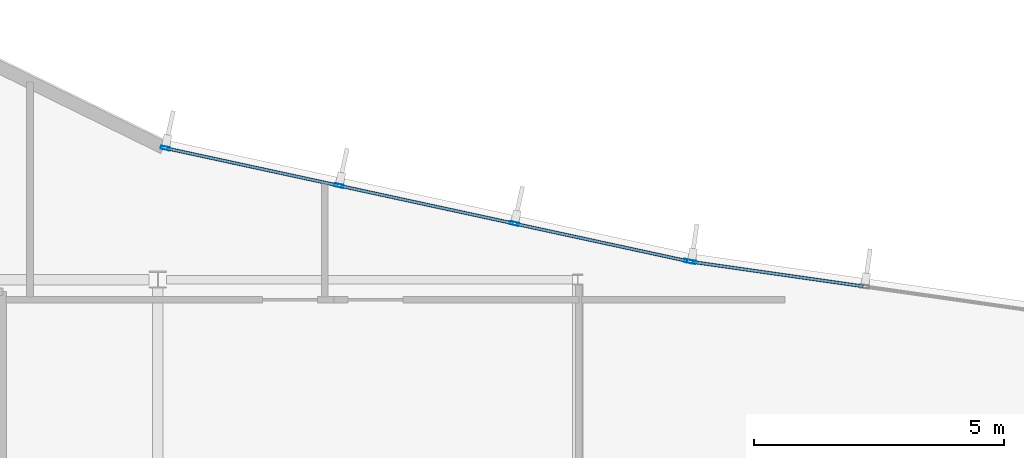
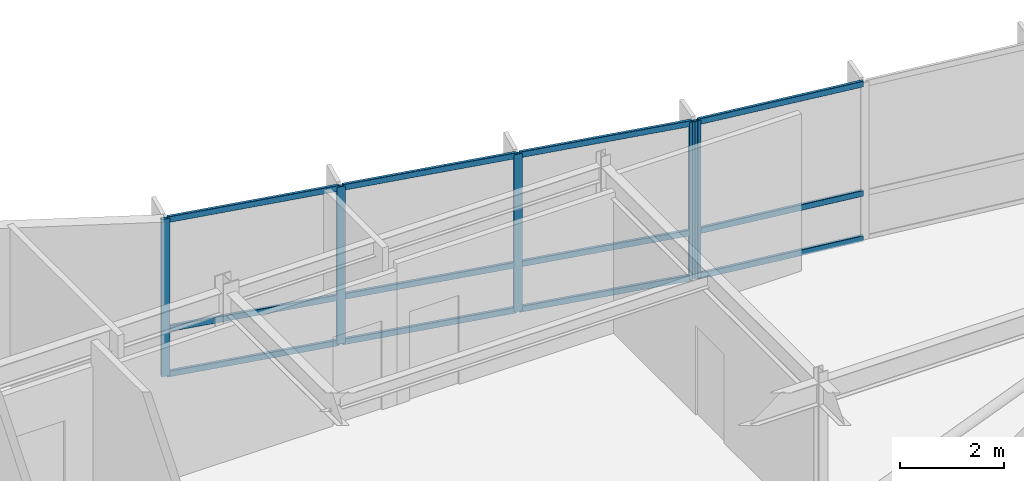
# One storey, part 6 of 16: 17 members, 2 elements without a shape of their own.
"""IFC4 building model written with IfcOpenShell, lengths in metres."""

from ifc_helpers import new_model, si_unit, direction, frame, origin, origin_2d, place, context, subcontext, project, spatial, hollow_rectangle, extrude, material, layer, layer_set, material_profile, profile_set, type_object, element, aggregate, save


model = new_model("IFC4")

# Units and contexts
model_context = context("Model", 3, precision=1e-05, world=origin(), true_north=direction((0.0, 1.0)))
body_context = subcontext(model_context, "Body", "Model", "MODEL_VIEW")
ifc_project = project(units=[si_unit("LENGTHUNIT", "METRE"), si_unit("AREAUNIT", "SQUARE_METRE"), si_unit("VOLUMEUNIT", "CUBIC_METRE"), si_unit("PLANEANGLEUNIT", "RADIAN"), si_unit("MASSUNIT", "GRAM", prefix="KILO")], contexts=[model_context])

# Site, building, storey
site_placement = place(None, origin())
site = spatial("IfcSite", under=ifc_project, at=site_placement, CompositionType="ELEMENT")
building_placement = place(site_placement, origin())
building = spatial("IfcBuilding", under=site, at=building_placement, Name="Varnakote Quay Hospital", CompositionType="ELEMENT")
storey_placement = place(building_placement, frame((0.0, 0.0, 288.14990234375)))
storey = spatial("IfcBuildingStorey", under=building, at=storey_placement, Name="L71", CompositionType="ELEMENT", Elevation=288.14990234375)

# Curtain wall, member
ifc_material_1 = material(Name="Anodised aluminium 6063-T6 Bronze", Category="aluminium")
ifc_layer = layer(ifc_material_1, 0.235107421875)
ifc_layer_set = layer_set([ifc_layer], Name="Anodised aluminium 6063-T6 Bronze")
curtain_wall_type = type_object("IfcCurtainWallType", Name="CW-SYS-5", PredefinedType="NOTDEFINED", material=ifc_layer_set)
curtain_wall_1_placement = place(storey_placement, origin())
curtain_wall_1 = element("IfcCurtainWall", 1, at=curtain_wall_1_placement, inside=storey, type_object=curtain_wall_type, Name="L71 Unitised Bronze Curtain Wall 1", PredefinedType="NOTDEFINED")
ifc_material_2 = material(Name="Anodised aluminium 6063-T6 Bronze", Category="aluminium")
ifc_material_profile_1 = material_profile(ifc_material_2, hollow_rectangle(XDim=0.06494140625, YDim=0.179931640625, WallThickness=0.00390625, InnerFilletRadius=0.00390625, OuterFilletRadius=0.008056640625, at=origin_2d()), Name="CW-MULL-180x65")
ifc_profile_set_1 = profile_set([ifc_material_profile_1], Name="Anodised aluminium 6063-T6 Bronze")
member_type_1 = type_object("IfcMemberType", Name="CW-MULL-180x65", PredefinedType="MULLION", material=ifc_profile_set_1)
member_1_placement = place(storey_placement, frame((27.475830078125, 29.15771484375, 0.0), z_axis=(0.0, 0.0, 1.0), x_axis=(-0.141571876691, -0.989927979062, 0.0)))
member_1 = element("IfcMember", 2, at=member_1_placement, type_object=member_type_1, Name="-5-L71-1 mullion 4", PredefinedType="MULLION", context=body_context, shape_type="SweptSolid", body=[
    extrude(hollow_rectangle(XDim=0.06494140625, YDim=0.179931640625, WallThickness=0.00390625, InnerFilletRadius=0.00390625, OuterFilletRadius=0.008056640625, at=origin_2d()), origin(), (0.0, 0.0, 1.0), 3.710205078125),
])

# Curtain wall, members
curtain_wall_2_placement = place(storey_placement, origin())
curtain_wall_2 = element("IfcCurtainWall", 3, at=curtain_wall_2_placement, inside=storey, type_object=curtain_wall_type, Name="L71 Unitised Bronze Curtain Wall 2", PredefinedType="NOTDEFINED")
member_2_placement = place(storey_placement, frame((27.411865234375, 29.169189453125, 0.0), z_axis=(0.0, 0.0, 1.0), x_axis=(-0.211407815974, -0.97739794114, 0.0)))
member_2 = element("IfcMember", 4, at=member_2_placement, type_object=member_type_1, Name="-5-L71-2 mullion 1", PredefinedType="MULLION", context=body_context, shape_type="SweptSolid", body=[
    extrude(hollow_rectangle(XDim=0.06494140625, YDim=0.179931640625, WallThickness=0.00390625, InnerFilletRadius=0.00390625, OuterFilletRadius=0.008056640625, at=origin_2d()), origin(), (0.0, 0.0, 1.0), 3.710205078125),
])
member_3_placement = place(storey_placement, frame((23.93408203125, 29.92138671875, 0.0), z_axis=(0.0, 0.0, 1.0), x_axis=(-0.211407815974, -0.97739794114, 0.0)))
member_3 = element("IfcMember", 5, at=member_3_placement, type_object=member_type_1, Name="-5-L71-2 mullion 2", PredefinedType="MULLION", context=body_context, shape_type="SweptSolid", body=[
    extrude(hollow_rectangle(XDim=0.06494140625, YDim=0.179931640625, WallThickness=0.00390625, InnerFilletRadius=0.00390625, OuterFilletRadius=0.008056640625, at=origin_2d()), origin(), (0.0, 0.0, 1.0), 3.710205078125),
])
member_4_placement = place(storey_placement, frame((20.424560546875, 30.6806640625, 0.0), z_axis=(0.0, 0.0, 1.0), x_axis=(-0.211407815974, -0.97739794114, 0.0)))
member_4 = element("IfcMember", 6, at=member_4_placement, type_object=member_type_1, Name="-5-L71-2 mullion 3", PredefinedType="MULLION", context=body_context, shape_type="SweptSolid", body=[
    extrude(hollow_rectangle(XDim=0.06494140625, YDim=0.179931640625, WallThickness=0.00390625, InnerFilletRadius=0.00390625, OuterFilletRadius=0.008056640625, at=origin_2d()), origin(), (0.0, 0.0, 1.0), 3.710205078125),
])
member_5_placement = place(storey_placement, frame((16.94677734375, 31.432861328125, 0.0), z_axis=(0.0, 0.0, 1.0), x_axis=(-0.211407815974, -0.97739794114, 0.0)))
member_5 = element("IfcMember", 7, at=member_5_placement, type_object=member_type_1, Name="-5-L71-2 mullion 4", PredefinedType="MULLION", context=body_context, shape_type="SweptSolid", body=[
    extrude(hollow_rectangle(XDim=0.06494140625, YDim=0.179931640625, WallThickness=0.00390625, InnerFilletRadius=0.00390625, OuterFilletRadius=0.008056640625, at=origin_2d()), origin(), (0.0, 0.0, 1.0), 3.710205078125),
])

# Member
ifc_material_3 = material(Name="Anodised aluminium 6063-T6 Bronze", Category="aluminium")
ifc_material_profile_2 = material_profile(ifc_material_3, hollow_rectangle(XDim=0.06494140625, YDim=0.139892578125, WallThickness=0.00390625, InnerFilletRadius=0.00390625, OuterFilletRadius=0.007568359375, at=origin_2d()), Name="CW-TRAN-140x65")
ifc_profile_set_2 = profile_set([ifc_material_profile_2], Name="Anodised aluminium 6063-T6 Bronze")
member_type_2 = type_object("IfcMemberType", Name="CW-TRAN-140x65", PredefinedType="USERDEFINED", material=ifc_profile_set_2)
member_6_placement = place(storey_placement, frame((30.910400390625, 28.666748046875, 0.03271484375), z_axis=(-0.989938124929, 0.141500914528, 0.0), x_axis=(-0.141500914528, -0.989938124929, 0.0)))
member_6 = element("IfcMember", 8, at=member_6_placement, type_object=member_type_2, Name="-5-L71-1 transom 3.1", ObjectType="TRANSOM", PredefinedType="USERDEFINED", context=body_context, shape_type="SweptSolid", body=[
    extrude(hollow_rectangle(XDim=0.06494140625, YDim=0.139892578125, WallThickness=0.00390625, InnerFilletRadius=0.00390625, OuterFilletRadius=0.007568359375, at=origin_2d()), origin(), (0.0, 0.0, 1.0), 3.43701171875),
])

member_7_placement = place(storey_placement, frame((30.910400390625, 28.666748046875, 1.10009765625), z_axis=(-0.989938124929, 0.141500914528, 0.0), x_axis=(-0.141500914528, -0.989938124929, 0.0)))
member_7 = element("IfcMember", 9, at=member_7_placement, type_object=member_type_2, Name="-5-L71-1 transom 3.2", ObjectType="TRANSOM", PredefinedType="USERDEFINED", context=body_context, shape_type="SweptSolid", body=[
    extrude(hollow_rectangle(XDim=0.06494140625, YDim=0.139892578125, WallThickness=0.00390625, InnerFilletRadius=0.00390625, OuterFilletRadius=0.007568359375, at=origin_2d()), origin(), (0.0, 0.0, 1.0), 3.43701171875),
])

member_8_placement = place(storey_placement, frame((30.910400390625, 28.666748046875, 3.677490234375), z_axis=(-0.989938124929, 0.141500914528, 0.0), x_axis=(-0.141500914528, -0.989938124929, 0.0)))
member_8 = element("IfcMember", 10, at=member_8_placement, type_object=member_type_2, Name="-5-L71-1 transom 3.3", ObjectType="TRANSOM", PredefinedType="USERDEFINED", context=body_context, shape_type="SweptSolid", body=[
    extrude(hollow_rectangle(XDim=0.06494140625, YDim=0.139892578125, WallThickness=0.00390625, InnerFilletRadius=0.00390625, OuterFilletRadius=0.007568359375, at=origin_2d()), origin(), (0.0, 0.0, 1.0), 3.43701171875),
])

aggregate(curtain_wall_1, [member_1, member_6, member_7, member_8])

member_9_placement = place(storey_placement, frame((27.380126953125, 29.176025390625, 0.03271484375), z_axis=(-0.977396604486, 0.211413995608, 0.0), x_axis=(-0.211413995608, -0.977396604486, 0.0)))
member_9 = element("IfcMember", 11, at=member_9_placement, type_object=member_type_2, Name="-5-L71-2 transom 1.1", ObjectType="TRANSOM", PredefinedType="USERDEFINED", context=body_context, shape_type="SweptSolid", body=[
    extrude(hollow_rectangle(XDim=0.06494140625, YDim=0.139892578125, WallThickness=0.00390625, InnerFilletRadius=0.00390625, OuterFilletRadius=0.007568359375, at=origin_2d()), origin(), (0.0, 0.0, 1.0), 3.4931640625),
])

member_10_placement = place(storey_placement, frame((27.380126953125, 29.176025390625, 1.10009765625), z_axis=(-0.977396604486, 0.211413995608, 0.0), x_axis=(-0.211413995608, -0.977396604486, 0.0)))
member_10 = element("IfcMember", 12, at=member_10_placement, type_object=member_type_2, Name="-5-L71-2 transom 1.2", ObjectType="TRANSOM", PredefinedType="USERDEFINED", context=body_context, shape_type="SweptSolid", body=[
    extrude(hollow_rectangle(XDim=0.06494140625, YDim=0.139892578125, WallThickness=0.00390625, InnerFilletRadius=0.00390625, OuterFilletRadius=0.007568359375, at=origin_2d()), origin(), (0.0, 0.0, 1.0), 3.4931640625),
])

member_11_placement = place(storey_placement, frame((27.380126953125, 29.176025390625, 3.677490234375), z_axis=(-0.977396604486, 0.211413995608, 0.0), x_axis=(-0.211413995608, -0.977396604486, 0.0)))
member_11 = element("IfcMember", 13, at=member_11_placement, type_object=member_type_2, Name="-5-L71-2 transom 1.3", ObjectType="TRANSOM", PredefinedType="USERDEFINED", context=body_context, shape_type="SweptSolid", body=[
    extrude(hollow_rectangle(XDim=0.06494140625, YDim=0.139892578125, WallThickness=0.00390625, InnerFilletRadius=0.00390625, OuterFilletRadius=0.007568359375, at=origin_2d()), origin(), (0.0, 0.0, 1.0), 3.4931640625),
])

member_12_placement = place(storey_placement, frame((23.90234375, 29.928466796875, 0.03271484375), z_axis=(-0.977398313089, 0.211406096342, 0.0), x_axis=(-0.211406096342, -0.977398313089, 0.0)))
member_12 = element("IfcMember", 14, at=member_12_placement, type_object=member_type_2, Name="-5-L71-2 transom 2.1", ObjectType="TRANSOM", PredefinedType="USERDEFINED", context=body_context, shape_type="SweptSolid", body=[
    extrude(hollow_rectangle(XDim=0.06494140625, YDim=0.139892578125, WallThickness=0.00390625, InnerFilletRadius=0.00390625, OuterFilletRadius=0.007568359375, at=origin_2d()), origin(), (0.0, 0.0, 1.0), 3.525634765625),
])

member_13_placement = place(storey_placement, frame((23.90234375, 29.928466796875, 1.10009765625), z_axis=(-0.977398313089, 0.211406096342, 0.0), x_axis=(-0.211406096342, -0.977398313089, 0.0)))
member_13 = element("IfcMember", 15, at=member_13_placement, type_object=member_type_2, Name="-5-L71-2 transom 2.2", ObjectType="TRANSOM", PredefinedType="USERDEFINED", context=body_context, shape_type="SweptSolid", body=[
    extrude(hollow_rectangle(XDim=0.06494140625, YDim=0.139892578125, WallThickness=0.00390625, InnerFilletRadius=0.00390625, OuterFilletRadius=0.007568359375, at=origin_2d()), origin(), (0.0, 0.0, 1.0), 3.525634765625),
])

member_14_placement = place(storey_placement, frame((23.90234375, 29.928466796875, 3.677490234375), z_axis=(-0.977398313089, 0.211406096342, 0.0), x_axis=(-0.211406096342, -0.977398313089, 0.0)))
member_14 = element("IfcMember", 16, at=member_14_placement, type_object=member_type_2, Name="-5-L71-2 transom 2.3", ObjectType="TRANSOM", PredefinedType="USERDEFINED", context=body_context, shape_type="SweptSolid", body=[
    extrude(hollow_rectangle(XDim=0.06494140625, YDim=0.139892578125, WallThickness=0.00390625, InnerFilletRadius=0.00390625, OuterFilletRadius=0.007568359375, at=origin_2d()), origin(), (0.0, 0.0, 1.0), 3.525634765625),
])

member_15_placement = place(storey_placement, frame((20.392822265625, 30.6875, 0.03271484375), z_axis=(-0.977396604486, 0.211413995608, 0.0), x_axis=(-0.211413995608, -0.977396604486, 0.0)))
member_15 = element("IfcMember", 17, at=member_15_placement, type_object=member_type_2, Name="-5-L71-2 transom 3.1", ObjectType="TRANSOM", PredefinedType="USERDEFINED", context=body_context, shape_type="SweptSolid", body=[
    extrude(hollow_rectangle(XDim=0.06494140625, YDim=0.139892578125, WallThickness=0.00390625, InnerFilletRadius=0.00390625, OuterFilletRadius=0.007568359375, at=origin_2d()), origin(), (0.0, 0.0, 1.0), 3.4931640625),
])

member_16_placement = place(storey_placement, frame((20.392822265625, 30.6875, 1.10009765625), z_axis=(-0.977396604486, 0.211413995608, 0.0), x_axis=(-0.211413995608, -0.977396604486, 0.0)))
member_16 = element("IfcMember", 18, at=member_16_placement, type_object=member_type_2, Name="-5-L71-2 transom 3.2", ObjectType="TRANSOM", PredefinedType="USERDEFINED", context=body_context, shape_type="SweptSolid", body=[
    extrude(hollow_rectangle(XDim=0.06494140625, YDim=0.139892578125, WallThickness=0.00390625, InnerFilletRadius=0.00390625, OuterFilletRadius=0.007568359375, at=origin_2d()), origin(), (0.0, 0.0, 1.0), 3.4931640625),
])

member_17_placement = place(storey_placement, frame((20.392822265625, 30.6875, 3.677490234375), z_axis=(-0.977396604486, 0.211413995608, 0.0), x_axis=(-0.211413995608, -0.977396604486, 0.0)))
member_17 = element("IfcMember", 19, at=member_17_placement, type_object=member_type_2, Name="-5-L71-2 transom 3.3", ObjectType="TRANSOM", PredefinedType="USERDEFINED", context=body_context, shape_type="SweptSolid", body=[
    extrude(hollow_rectangle(XDim=0.06494140625, YDim=0.139892578125, WallThickness=0.00390625, InnerFilletRadius=0.00390625, OuterFilletRadius=0.007568359375, at=origin_2d()), origin(), (0.0, 0.0, 1.0), 3.4931640625),
])

aggregate(curtain_wall_2, [member_2, member_3, member_4, member_5, member_9, member_10, member_11, member_12, member_13, member_14, member_15, member_16, member_17])

save(model, "model.ifc")
